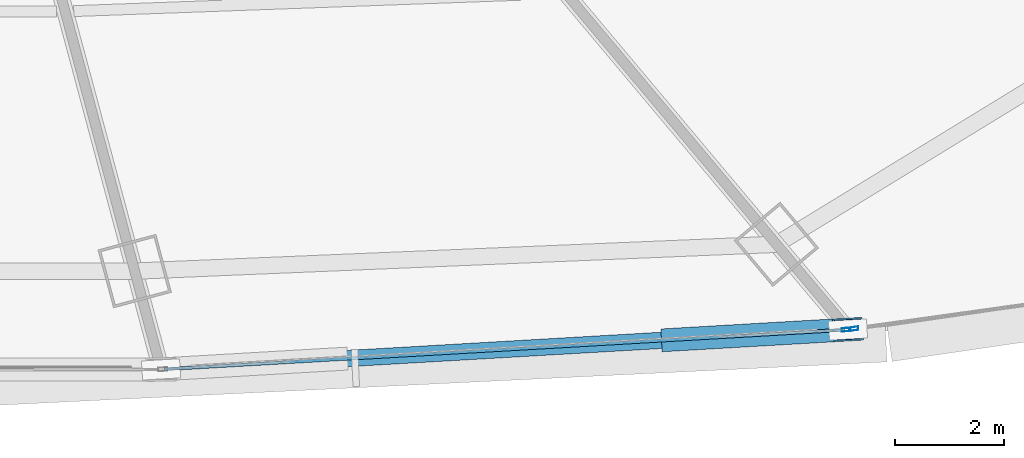
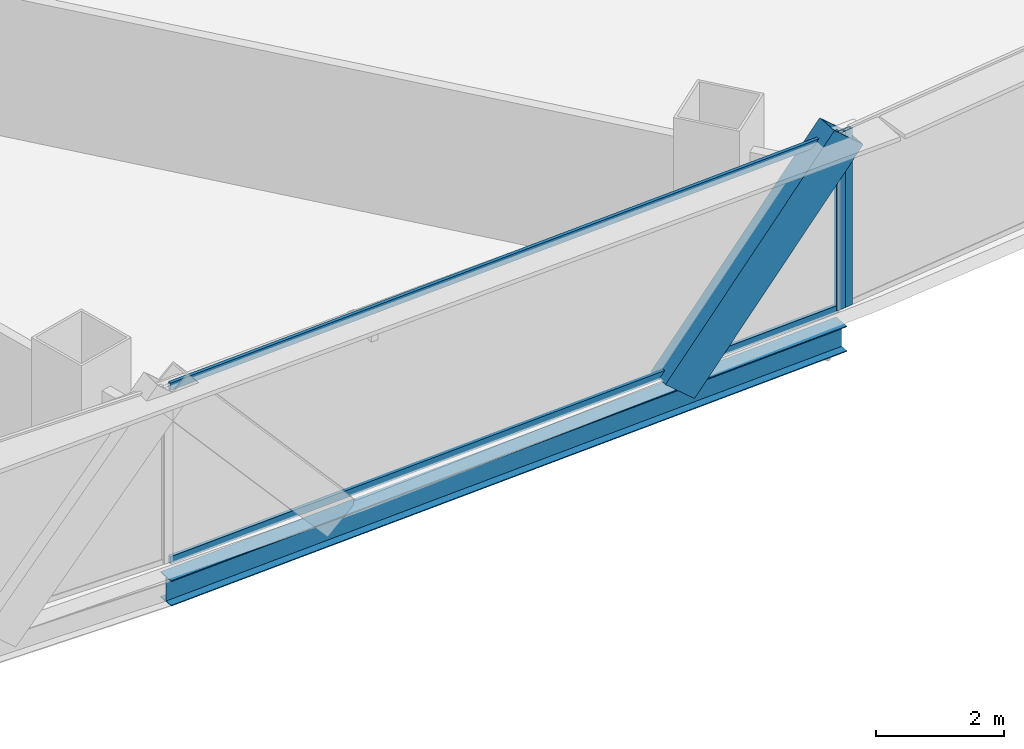
# One storey, part 11 of 38: 5 members, 1 beam, 2 elements without a shape of their own.
"""IFC4 building model written with IfcOpenShell, lengths in metres."""

from ifc_helpers import new_model, si_unit, direction, frame, origin, origin_2d, place, context, subcontext, project, spatial, hollow_rectangle, i_section, extrude, source, transform, mapped, material, layer, layer_set, material_profile, profile_set, type_object, element, aggregate, save


model = new_model("IFC4")

# Units and contexts
model_context = context("Model", 3, precision=1e-05, world=origin(), true_north=direction((0.0, 1.0)))
body_context = subcontext(model_context, "Body", "Model", "MODEL_VIEW")
ifc_project = project(units=[si_unit("LENGTHUNIT", "METRE"), si_unit("AREAUNIT", "SQUARE_METRE"), si_unit("VOLUMEUNIT", "CUBIC_METRE"), si_unit("PLANEANGLEUNIT", "RADIAN"), si_unit("MASSUNIT", "GRAM", prefix="KILO"), si_unit("THERMODYNAMICTEMPERATUREUNIT", "KELVIN"), si_unit("POWERUNIT", "WATT")], contexts=[model_context])

# Site, building, storey
site_placement = place(None, origin())
site = spatial("IfcSite", under=ifc_project, at=site_placement, CompositionType="ELEMENT")
building_placement = place(site_placement, origin())
building = spatial("IfcBuilding", under=site, at=building_placement, Name="Yunzhuo Pagoda Commons", CompositionType="ELEMENT")
storey_placement = place(building_placement, frame((0.0, 0.0, 30.39990234375)))
storey = spatial("IfcBuildingStorey", under=building, at=storey_placement, Name="L07", CompositionType="ELEMENT", Elevation=30.39990234375)

# Beam
ifc_material_1 = material(Name="Structural steel Q355B", Category="steel")
ifc_material_profile_1 = material_profile(ifc_material_1, i_section(OverallWidth=0.300048828125, OverallDepth=0.488037109375, WebThickness=0.010986328125, FlangeThickness=0.01806640625, at=origin_2d()), Name="Structural steel Q355B")
ifc_profile_set_1 = profile_set([ifc_material_profile_1], Name="Structural steel Q355B")
beam_type = type_object("IfcBeamType", Name="B-SP1 Beam HM 488x300x11x18", PredefinedType="BEAM", material=ifc_profile_set_1)
shared_shape_1 = source(origin(), body_context, "Body", "SweptSolid", [
    extrude(i_section(OverallWidth=0.300048828125, OverallDepth=0.488037109375, WebThickness=0.010986328125, FlangeThickness=0.01806640625, at=origin_2d()), origin(), (0.0, 0.0, 1.0), 12.630615234375),
])
beam_placement = place(storey_placement, frame((54.20361328125, 10.548095703125, -0.50390625), z_axis=(0.998321766978, 0.05791070349, 0.0), x_axis=(-0.05791070349, 0.998321766978, 0.0)))
element("IfcBeam", 1, at=beam_placement, inside=storey, type_object=beam_type, Name="L07 facade edge spandrel beam F1.3", PredefinedType="BEAM", context=body_context, shape_type="MappedRepresentation", body=[
    mapped(shared_shape_1, transform((0.0, 0.0, 0.0), scale=1.0)),
])

# Member
ifc_material_2 = material(Name="Structural steel Q420B", Category="steel")
ifc_material_profile_2 = material_profile(ifc_material_2, hollow_rectangle(XDim=0.419921875, YDim=0.719970703125, WallThickness=0.028076171875, at=origin_2d()), Name="Structural steel Q420B")
ifc_profile_set_2 = profile_set([ifc_material_profile_2], Name="Structural steel Q420B")
member_type_1 = type_object("IfcMemberType", Name="M-DL1 Brace BOX 720x420x28", PredefinedType="BRACE", material=ifc_profile_set_2)
shared_shape_2 = source(origin(), body_context, "Body", "SweptSolid", [
    extrude(hollow_rectangle(XDim=0.419921875, YDim=0.719970703125, WallThickness=0.028076171875, at=origin_2d()), origin(), (0.0, 0.0, 1.0), 4.811279296875),
])
member_1_placement = place(storey_placement, frame((63.660888671875, 11.0966796875, -0.260009765625), z_axis=(0.655142879011, 0.038006507349, 0.754548416923), x_axis=(-0.057915173823, 0.998321507652, 0.0)))
element("IfcMember", 2, at=member_1_placement, inside=storey, type_object=member_type_1, Name="L07 facade diamond brace F1.3R", PredefinedType="BRACE", context=body_context, shape_type="MappedRepresentation", body=[
    mapped(shared_shape_2, transform((0.0, 0.0, 0.0), scale=1.0)),
])

# Curtain wall, member
ifc_material_3 = material(Name="Anodized aluminium 6063-T6", Category="aluminium")
ifc_layer = layer(ifc_material_3, 0.1650390625)
ifc_layer_set = layer_set([ifc_layer], Name="Anodized aluminium 6063-T6")
curtain_wall_type = type_object("IfcCurtainWallType", Name="CW-LOW Low-Zone Ribbon Curtain Wall", PredefinedType="NOTDEFINED", material=ifc_layer_set)
curtain_wall_1_placement = place(storey_placement, origin())
curtain_wall_1 = element("IfcCurtainWall", 3, at=curtain_wall_1_placement, inside=storey, type_object=curtain_wall_type, Name="L07 curtain wall CW-L07-F1B4", PredefinedType="NOTDEFINED")
ifc_material_profile_3 = material_profile(ifc_material_3, hollow_rectangle(XDim=0.06494140625, YDim=0.1650390625, WallThickness=0.00390625, at=origin_2d()), Name="Anodized aluminium 6063-T6")
ifc_profile_set_3 = profile_set([ifc_material_profile_3], Name="Anodized aluminium 6063-T6")
member_type_2 = type_object("IfcMemberType", Name="CW-LOW-M Mullion RHS 165x65x4", PredefinedType="MULLION", material=ifc_profile_set_3)
shared_shape_3 = source(origin(), body_context, "Body", "SweptSolid", [
    extrude(hollow_rectangle(XDim=0.06494140625, YDim=0.1650390625, WallThickness=0.00390625, at=origin_2d()), origin(), (0.0, 0.0, 1.0), 3.370361328125),
])
member_2_placement = place(storey_placement, frame((66.780517578125, 11.277587890625, 0.0), z_axis=(0.0, 0.0, 1.0), x_axis=(-0.05789866519, 0.998322465223, 0.0)))
member_2 = element("IfcMember", 4, at=member_2_placement, type_object=member_type_2, Name="CW mullion 2", PredefinedType="MULLION", context=body_context, shape_type="MappedRepresentation", body=[
    mapped(shared_shape_3, transform((0.0, 0.0, 0.0), scale=1.0)),
])

curtain_wall_2_placement = place(storey_placement, origin())
curtain_wall_2 = element("IfcCurtainWall", 5, at=curtain_wall_2_placement, inside=storey, type_object=curtain_wall_type, Name="L07 curtain wall CW-L07-F1B5", PredefinedType="NOTDEFINED")
member_3_placement = place(storey_placement, frame((66.91943359375, 11.29443359375, 0.0), z_axis=(0.0, 0.0, 1.0), x_axis=(-0.138293641491, 0.99039127052, 0.0)))
member_3 = element("IfcMember", 6, at=member_3_placement, type_object=member_type_2, Name="CW mullion 1", PredefinedType="MULLION", context=body_context, shape_type="MappedRepresentation", body=[
    mapped(shared_shape_3, transform((0.0, 0.0, 0.0), scale=1.0)),
])
aggregate(curtain_wall_2, [member_3])

# Member
ifc_material_profile_4 = material_profile(ifc_material_3, hollow_rectangle(XDim=0.06005859375, YDim=0.139892578125, WallThickness=0.00341796875, at=origin_2d()), Name="Anodized aluminium 6063-T6")
ifc_profile_set_4 = profile_set([ifc_material_profile_4], Name="Anodized aluminium 6063-T6")
member_type_3 = type_object("IfcMemberType", Name="CW-LOW-T Transom RHS 140x60x3.5", PredefinedType="USERDEFINED", material=ifc_profile_set_4)
shared_shape_4 = source(origin(), body_context, "Body", "SweptSolid", [
    extrude(hollow_rectangle(XDim=0.06005859375, YDim=0.139892578125, WallThickness=0.00341796875, at=origin_2d()), origin(), (0.0, 0.0, 1.0), 12.50048828125),
])
member_4_placement = place(storey_placement, frame((54.2685546875, 10.552001953125, 0.030029296875), z_axis=(0.998323053617, 0.057888518877, 0.0), x_axis=(-0.057888518877, 0.998323053617, 0.0)))
member_4 = element("IfcMember", 7, at=member_4_placement, type_object=member_type_3, Name="CW transom 1.1", ObjectType="TRANSOM", PredefinedType="USERDEFINED", context=body_context, shape_type="MappedRepresentation", body=[
    mapped(shared_shape_4, transform((0.0, 0.0, 0.0), scale=1.0)),
])

member_5_placement = place(storey_placement, frame((54.2685546875, 10.552001953125, 3.340087890625), z_axis=(0.998323053617, 0.057888518877, 0.0), x_axis=(-0.057888518877, 0.998323053617, 0.0)))
member_5 = element("IfcMember", 8, at=member_5_placement, type_object=member_type_3, Name="CW transom 1.2", ObjectType="TRANSOM", PredefinedType="USERDEFINED", context=body_context, shape_type="MappedRepresentation", body=[
    mapped(shared_shape_4, transform((0.0, 0.0, 0.0), scale=1.0)),
])

aggregate(curtain_wall_1, [member_2, member_4, member_5])

save(model, "model.ifc")
